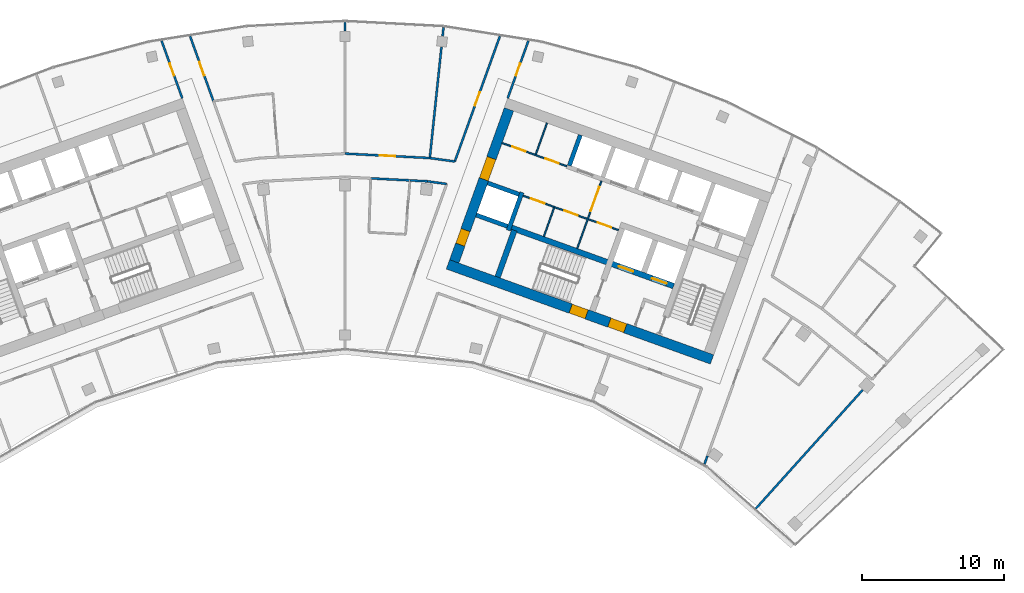
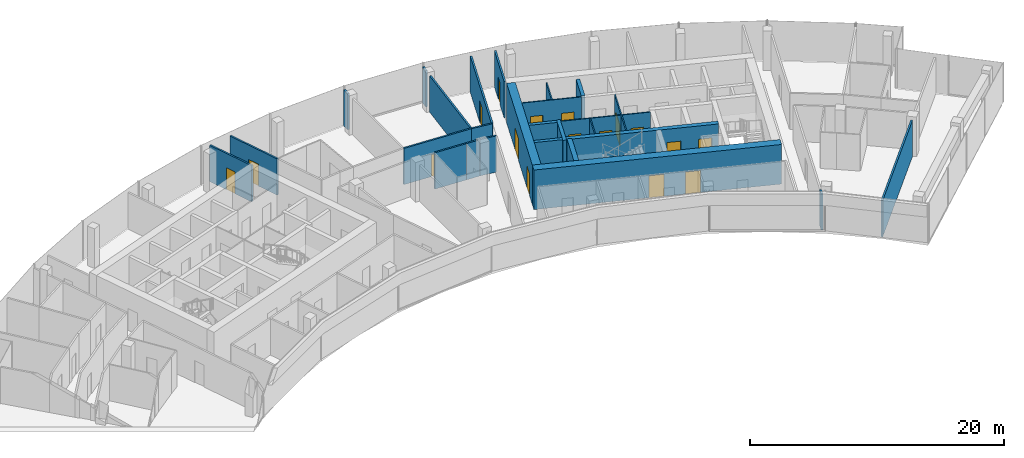
# One storey, part 15 of 18: 27 walls, 17 doors, 17 openings.
"""IFC4 building model written with IfcOpenShell, lengths in metres."""

from ifc_helpers import new_model, si_unit, direction, frame, frame_2d, origin, place, context, subcontext, project, spatial, rectangle, extrude, material, layer, layer_set, type_object, element, fill, save


model = new_model("IFC4")

# Units and contexts
model_context = context("Model", 3, precision=1e-05, world=origin(), true_north=direction((0.0, 1.0)))
body_context = subcontext(model_context, "Body", "Model", "MODEL_VIEW")
ifc_project = project(units=[si_unit("LENGTHUNIT", "METRE"), si_unit("AREAUNIT", "SQUARE_METRE"), si_unit("VOLUMEUNIT", "CUBIC_METRE"), si_unit("PLANEANGLEUNIT", "RADIAN"), si_unit("MASSUNIT", "GRAM", prefix="KILO")], contexts=[model_context])

# Site, building, storey
site_placement = place(None, origin())
site = spatial("IfcSite", under=ifc_project, at=site_placement, CompositionType="ELEMENT")
building_placement = place(site_placement, origin())
building = spatial("IfcBuilding", under=site, at=building_placement, Name="Stone Belt Terrace Tower", CompositionType="ELEMENT")
storey_placement = place(building_placement, frame((0.0, 0.0, 296.0)))
storey = spatial("IfcBuildingStorey", under=building, at=storey_placement, Name="L72", CompositionType="ELEMENT", Elevation=296.0)

# Wall, openings, doors
ifc_material_1 = material(Name="Plasterboard partition")
ifc_layer_1 = layer(ifc_material_1, 0.10009765625)
ifc_layer_set_1 = layer_set([ifc_layer_1], Name="Core partition 100")
wall_type_1 = type_object("IfcWallType", Name="Core partition 100", PredefinedType="PARTITIONING", material=ifc_layer_set_1)
wall_1_placement = place(storey_placement, frame((19.29052734375, 51.829833984375, 0.0), z_axis=(0.0, 0.0, 1.0), x_axis=(-0.94092179465, 0.338623945331, 0.0)))
wall_1 = element("IfcWall", 1, at=wall_1_placement, inside=storey, type_object=wall_type_1, Name="Core B wall", PredefinedType="PARTITIONING", context=body_context, shape_type="SweptSolid", body=[
    extrude(rectangle(XDim=7.14990234375, YDim=0.10009765625, at=frame_2d((3.574951171875, 0.0))), origin(), (0.0, 0.0, 1.0), 3.47998046875),
])
opening_1_placement = place(wall_1_placement, frame((0.550048828125, 0.0, 0.0)))
opening_1 = element("IfcOpeningElement", 2, at=opening_1_placement, cuts=wall_1, Name="Opening L72-C18", PredefinedType="OPENING", context=body_context, shape_type="SweptSolid", body=[
    extrude(rectangle(XDim=1.0, YDim=2.10009765625, at=frame_2d((0.5, 1.050048828125))), frame((0.0, 0.06005859375, 0.0), z_axis=(0.0, -1.0, 0.0), x_axis=(1.0, 0.0, 0.0)), (0.0, 0.0, 1.0), 0.1201171875),
])
opening_2_placement = place(wall_1_placement, frame((3.050048828125, 0.0, 0.0)))
opening_2 = element("IfcOpeningElement", 3, at=opening_2_placement, cuts=wall_1, Name="Opening L72-C19", PredefinedType="OPENING", context=body_context, shape_type="SweptSolid", body=[
    extrude(rectangle(XDim=1.0, YDim=2.10009765625, at=frame_2d((0.5, 1.050048828125))), frame((0.0, 0.06005859375, 0.0), z_axis=(0.0, -1.0, 0.0), x_axis=(1.0, 0.0, 0.0)), (0.0, 0.0, 1.0), 0.1201171875),
])
opening_3_placement = place(wall_1_placement, frame((5.550048828125, 0.0, 0.0)))
opening_3 = element("IfcOpeningElement", 4, at=opening_3_placement, cuts=wall_1, Name="Opening L72-C20", PredefinedType="OPENING", context=body_context, shape_type="SweptSolid", body=[
    extrude(rectangle(XDim=1.0, YDim=2.10009765625, at=frame_2d((0.5, 1.050048828125))), frame((0.0, 0.06005859375, 0.0), z_axis=(0.0, -1.0, 0.0), x_axis=(1.0, 0.0, 0.0)), (0.0, 0.0, 1.0), 0.1201171875),
])
ifc_material_2 = material(Name="Timber door leaf", Category="wood")
door_type_1 = type_object("IfcDoorType", Name="Core room door 1000", OperationType="SINGLE_SWING_LEFT", PredefinedType="DOOR", material=ifc_material_2)
door_1_placement = place(opening_1_placement, origin())
door_1 = element("IfcDoor", 5, at=door_1_placement, inside=storey, type_object=door_type_1, Name="Door to Ventilation plant room core B", OperationType="SINGLE_SWING_LEFT", OverallHeight=2.10009765625, OverallWidth=1.0, PredefinedType="DOOR", context=body_context, shape_type="SweptSolid", body=[
    extrude(rectangle(XDim=1.0, YDim=2.10009765625, at=frame_2d((0.5, 1.050048828125))), frame((0.0, 0.02490234375, 0.0), z_axis=(0.0, -1.0, 0.0), x_axis=(1.0, 0.0, 0.0)), (0.0, 0.0, 1.0), 0.050048828125),
])
fill(opening_1, door_1)
door_2_placement = place(opening_2_placement, origin())
door_2 = element("IfcDoor", 6, at=door_2_placement, inside=storey, type_object=door_type_1, Name="Door to Services store core B", OperationType="SINGLE_SWING_RIGHT", OverallHeight=2.10009765625, OverallWidth=1.0, PredefinedType="DOOR", context=body_context, shape_type="SweptSolid", body=[
    extrude(rectangle(XDim=1.0, YDim=2.10009765625, at=frame_2d((0.5, 1.050048828125))), frame((0.0, 0.02490234375, 0.0), z_axis=(0.0, -1.0, 0.0), x_axis=(1.0, 0.0, 0.0)), (0.0, 0.0, 1.0), 0.050048828125),
])
fill(opening_2, door_2)
door_3_placement = place(opening_3_placement, origin())
door_3 = element("IfcDoor", 7, at=door_3_placement, inside=storey, type_object=door_type_1, Name="Door to Server room core B", OperationType="SINGLE_SWING_LEFT", OverallHeight=2.10009765625, OverallWidth=1.0, PredefinedType="DOOR", context=body_context, shape_type="SweptSolid", body=[
    extrude(rectangle(XDim=1.0, YDim=2.10009765625, at=frame_2d((0.5, 1.050048828125))), frame((0.0, 0.02490234375, 0.0), z_axis=(0.0, -1.0, 0.0), x_axis=(1.0, 0.0, 0.0)), (0.0, 0.0, 1.0), 0.050048828125),
])
fill(opening_3, door_3)

# Wall, opening, door
wall_2_placement = place(storey_placement, frame((16.38134765625, 50.53857421875, 0.0), z_axis=(0.0, 0.0, 1.0), x_axis=(0.33860476744, 0.940928696271, 0.0)))
wall_2 = element("IfcWall", 8, at=wall_2_placement, inside=storey, type_object=wall_type_1, Name="Core B wall", PredefinedType="PARTITIONING", context=body_context, shape_type="SweptSolid", body=[
    extrude(rectangle(XDim=5.050048828125, YDim=0.10009765625, at=frame_2d((2.52490234375, 0.0))), origin(), (0.0, 0.0, 1.0), 3.47998046875),
])
opening_4_placement = place(wall_2_placement, frame((2.800048828125, 0.0, 0.0)))
opening_4 = element("IfcOpeningElement", 9, at=opening_4_placement, cuts=wall_2, Name="Opening L72-C23", PredefinedType="OPENING", context=body_context, shape_type="SweptSolid", body=[
    extrude(rectangle(XDim=1.800048828125, YDim=2.10009765625, at=frame_2d((0.89990234375, 1.050048828125))), frame((0.0, 0.06005859375, 0.0), z_axis=(0.0, -1.0, 0.0), x_axis=(1.0, 0.0, 0.0)), (0.0, 0.0, 1.0), 0.1201171875),
])
ifc_material_3 = material(Name="Glazed aluminium door leaf", Category="aluminium")
door_type_2 = type_object("IfcDoorType", Name="Lift lobby entrance door 1800", OperationType="DOUBLE_DOOR_SINGLE_SWING", PredefinedType="DOOR", material=ifc_material_3)
door_4_placement = place(opening_4_placement, origin())
door_4 = element("IfcDoor", 10, at=door_4_placement, inside=storey, type_object=door_type_2, Name="Lift lobby double door core B", OperationType="DOUBLE_DOOR_SINGLE_SWING", OverallHeight=2.10009765625, OverallWidth=1.800048828125, PredefinedType="DOOR", context=body_context, shape_type="SweptSolid", body=[
    extrude(rectangle(XDim=1.800048828125, YDim=2.10009765625, at=frame_2d((0.89990234375, 1.050048828125))), frame((0.0, 0.02490234375, 0.0), z_axis=(0.0, -1.0, 0.0), x_axis=(1.0, 0.0, 0.0)), (0.0, 0.0, 1.0), 0.050048828125),
])
fill(opening_4, door_4)

# Wall
wall_3_placement = place(storey_placement, frame((14.029052734375, 51.38525390625, 0.0), z_axis=(0.0, 0.0, 1.0), x_axis=(0.338622960269, 0.940922149159, 0.0)))
element("IfcWall", 11, at=wall_3_placement, inside=storey, type_object=wall_type_1, Name="Core B wall", PredefinedType="PARTITIONING", context=body_context, shape_type="SweptSolid", body=[
    extrude(rectangle(XDim=2.14990234375, YDim=0.10009765625, at=frame_2d((1.074951171875, 0.0))), origin(), (0.0, 0.0, 1.0), 3.47998046875),
])

# Wall, openings, doors
wall_4_placement = place(storey_placement, frame((15.648681640625, 56.32861328125, 0.0), z_axis=(0.0, 0.0, 1.0), x_axis=(-0.940905377977, 0.338669558262, 0.0)))
wall_4 = element("IfcWall", 12, at=wall_4_placement, inside=storey, type_object=wall_type_1, Name="Core B wall", PredefinedType="PARTITIONING", context=body_context, shape_type="SweptSolid", body=[
    extrude(rectangle(XDim=4.85009765625, YDim=0.10009765625, at=frame_2d((2.425048828125, 0.0))), origin(), (0.0, 0.0, 1.0), 3.47998046875),
])
opening_5_placement = place(wall_4_placement, frame((0.60009765625, 0.0, 0.0)))
opening_5 = element("IfcOpeningElement", 13, at=opening_5_placement, cuts=wall_4, Name="Opening L72-C16", PredefinedType="OPENING", context=body_context, shape_type="SweptSolid", body=[
    extrude(rectangle(XDim=1.0, YDim=2.10009765625, at=frame_2d((0.5, 1.050048828125))), frame((0.0, 0.06005859375, 0.0), z_axis=(0.0, -1.0, 0.0), x_axis=(1.0, 0.0, 0.0)), (0.0, 0.0, 1.0), 0.1201171875),
])
opening_6_placement = place(wall_4_placement, frame((3.10009765625, 0.0, 0.0)))
opening_6 = element("IfcOpeningElement", 14, at=opening_6_placement, cuts=wall_4, Name="Opening L72-C17", PredefinedType="OPENING", context=body_context, shape_type="SweptSolid", body=[
    extrude(rectangle(XDim=1.0, YDim=2.10009765625, at=frame_2d((0.5, 1.050048828125))), frame((0.0, 0.06005859375, 0.0), z_axis=(0.0, -1.0, 0.0), x_axis=(1.0, 0.0, 0.0)), (0.0, 0.0, 1.0), 0.1201171875),
])
door_5_placement = place(opening_5_placement, origin())
door_5 = element("IfcDoor", 15, at=door_5_placement, inside=storey, type_object=door_type_1, Name="Door to Plant room core B", OperationType="SINGLE_SWING_LEFT", OverallHeight=2.10009765625, OverallWidth=1.0, PredefinedType="DOOR", context=body_context, shape_type="SweptSolid", body=[
    extrude(rectangle(XDim=1.0, YDim=2.10009765625, at=frame_2d((0.5, 1.050048828125))), frame((0.0, 0.02490234375, 0.0), z_axis=(0.0, -1.0, 0.0), x_axis=(1.0, 0.0, 0.0)), (0.0, 0.0, 1.0), 0.050048828125),
])
fill(opening_5, door_5)
door_6_placement = place(opening_6_placement, origin())
door_6 = element("IfcDoor", 16, at=door_6_placement, inside=storey, type_object=door_type_1, Name="Door to Electrical room core B", OperationType="SINGLE_SWING_RIGHT", OverallHeight=2.10009765625, OverallWidth=1.0, PredefinedType="DOOR", context=body_context, shape_type="SweptSolid", body=[
    extrude(rectangle(XDim=1.0, YDim=2.10009765625, at=frame_2d((0.5, 1.050048828125))), frame((0.0, 0.02490234375, 0.0), z_axis=(0.0, -1.0, 0.0), x_axis=(1.0, 0.0, 0.0)), (0.0, 0.0, 1.0), 0.050048828125),
])
fill(opening_6, door_6)

# Wall
wall_5_placement = place(storey_placement, frame((13.45458984375, 57.171630859375, 0.0), z_axis=(0.0, 0.0, 1.0), x_axis=(0.338579668317, 0.940937728121, 0.0)))
element("IfcWall", 17, at=wall_5_placement, inside=storey, type_object=wall_type_1, Name="Core B wall", PredefinedType="PARTITIONING", context=body_context, shape_type="SweptSolid", body=[
    extrude(rectangle(XDim=2.35009765625, YDim=0.10009765625, at=frame_2d((1.175048828125, 0.0))), origin(), (0.0, 0.0, 1.0), 3.47998046875),
])

# Wall, openings, doors
ifc_material_4 = material(Name="Concrete B60", Category="concrete")
ifc_layer_2 = layer(ifc_material_4, 0.699951171875)
ifc_layer_set_2 = layer_set([ifc_layer_2], Name="Core wall 700 B60")
wall_type_2 = type_object("IfcWallType", Name="Core wall 700 B60", PredefinedType="SHEAR", material=ifc_layer_set_2)
wall_6_placement = place(storey_placement, frame((7.260498046875, 49.410400390625, 0.0), z_axis=(0.0, 0.0, 1.0), x_axis=(0.940925130461, -0.338614676094, 0.0)))
wall_6 = element("IfcWall", 18, at=wall_6_placement, inside=storey, type_object=wall_type_2, Name="Core B wall concave L72", PredefinedType="SHEAR", context=body_context, shape_type="SweptSolid", body=[
    extrude(rectangle(XDim=19.800048828125, YDim=0.699951171875, at=frame_2d((9.89990234375, 0.0))), origin(), (0.0, 0.0, 1.0), 3.800048828125),
])
opening_7_placement = place(wall_6_placement, frame((12.10009765625, 0.0, 0.0)))
opening_7 = element("IfcOpeningElement", 19, at=opening_7_placement, cuts=wall_6, Name="Opening L72-C27", PredefinedType="OPENING", context=body_context, shape_type="SweptSolid", body=[
    extrude(rectangle(XDim=1.199951171875, YDim=2.10009765625, at=frame_2d((0.60009765625, 1.050048828125))), frame((0.0, 0.35986328125, 0.0), z_axis=(0.0, -1.0, 0.0), x_axis=(1.0, 0.0, 0.0)), (0.0, 0.0, 1.0), 0.719970703125),
])
opening_8_placement = place(wall_6_placement, frame((9.2001953125, 0.0, 0.0)))
opening_8 = element("IfcOpeningElement", 20, at=opening_8_placement, cuts=wall_6, Name="Opening L72-C29", PredefinedType="OPENING", context=body_context, shape_type="SweptSolid", body=[
    extrude(rectangle(XDim=1.199951171875, YDim=2.10009765625, at=frame_2d((0.60009765625, 1.050048828125))), frame((0.0, 0.35986328125, 0.0), z_axis=(0.0, -1.0, 0.0), x_axis=(1.0, 0.0, 0.0)), (0.0, 0.0, 1.0), 0.719970703125),
])
ifc_material_5 = material(Name="Steel door leaf", Category="steel")
door_type_3 = type_object("IfcDoorType", Name="Fire-fighting lobby door 1200", OperationType="SINGLE_SWING_LEFT", PredefinedType="DOOR", material=ifc_material_5)
door_7_placement = place(opening_7_placement, origin())
door_7 = element("IfcDoor", 21, at=door_7_placement, inside=storey, type_object=door_type_3, Name="Fire-fighting lobby door core B", OperationType="SINGLE_SWING_LEFT", OverallHeight=2.10009765625, OverallWidth=1.199951171875, PredefinedType="DOOR", context=body_context, shape_type="SweptSolid", body=[
    extrude(rectangle(XDim=1.199951171875, YDim=2.10009765625, at=frame_2d((0.60009765625, 1.050048828125))), frame((0.0, 0.330078125, 0.0), z_axis=(0.0, -1.0, 0.0), x_axis=(1.0, 0.0, 0.0)), (0.0, 0.0, 1.0), 0.659912109375),
])
fill(opening_7, door_7)
door_type_4 = type_object("IfcDoorType", Name="Stair door 1200", OperationType="SINGLE_SWING_LEFT", PredefinedType="DOOR", material=ifc_material_5)
door_8_placement = place(opening_8_placement, origin())
door_8 = element("IfcDoor", 22, at=door_8_placement, inside=storey, type_object=door_type_4, Name="Stair 2 exit door core B", OperationType="SINGLE_SWING_RIGHT", OverallHeight=2.10009765625, OverallWidth=1.199951171875, PredefinedType="DOOR", context=body_context, shape_type="SweptSolid", body=[
    extrude(rectangle(XDim=1.199951171875, YDim=2.10009765625, at=frame_2d((0.60009765625, 1.050048828125))), frame((0.0, 0.330078125, 0.0), z_axis=(0.0, -1.0, 0.0), x_axis=(1.0, 0.0, 0.0)), (0.0, 0.0, 1.0), 0.659912109375),
])
fill(opening_8, door_8)

wall_7_placement = place(storey_placement, frame((7.70849609375, 49.621337890625, 0.0), z_axis=(0.0, 0.0, 1.0), x_axis=(0.338606471282, 0.940928083121, 0.0)))
wall_7 = element("IfcWall", 23, at=wall_7_placement, inside=storey, type_object=wall_type_2, Name="Core B wall end_a L72", PredefinedType="SHEAR", context=body_context, shape_type="SweptSolid", body=[
    extrude(rectangle(XDim=11.39990234375, YDim=0.699951171875, at=frame_2d((5.699951171875, 0.0))), origin(), (0.0, 0.0, 1.0), 3.800048828125),
])
opening_9_placement = place(wall_7_placement, frame((6.14990234375, 0.0, 0.0)))
opening_9 = element("IfcOpeningElement", 24, at=opening_9_placement, cuts=wall_7, Name="Opening L72-C24", PredefinedType="OPENING", context=body_context, shape_type="SweptSolid", body=[
    extrude(rectangle(XDim=1.60009765625, YDim=2.10009765625, at=frame_2d((0.800048828125, 1.050048828125))), frame((0.0, 0.35986328125, 0.0), z_axis=(0.0, -1.0, 0.0), x_axis=(1.0, 0.0, 0.0)), (0.0, 0.0, 1.0), 0.719970703125),
])
opening_10_placement = place(wall_7_placement, frame((1.25, 0.0, 0.0)))
opening_10 = element("IfcOpeningElement", 25, at=opening_10_placement, cuts=wall_7, Name="Opening L72-C30", PredefinedType="OPENING", context=body_context, shape_type="SweptSolid", body=[
    extrude(rectangle(XDim=1.10009765625, YDim=2.10009765625, at=frame_2d((0.550048828125, 1.050048828125))), frame((0.0, 0.35986328125, 0.0), z_axis=(0.0, -1.0, 0.0), x_axis=(1.0, 0.0, 0.0)), (0.0, 0.0, 1.0), 0.719970703125),
])
door_type_5 = type_object("IfcDoorType", Name="Core room door 1100", OperationType="SINGLE_SWING_LEFT", PredefinedType="DOOR", material=ifc_material_2)
door_9_placement = place(opening_10_placement, origin())
door_9 = element("IfcDoor", 26, at=door_9_placement, inside=storey, type_object=door_type_5, Name="Door to Electrical riser room core B", OperationType="SINGLE_SWING_LEFT", OverallHeight=2.10009765625, OverallWidth=1.10009765625, PredefinedType="DOOR", context=body_context, shape_type="SweptSolid", body=[
    extrude(rectangle(XDim=1.10009765625, YDim=2.10009765625, at=frame_2d((0.550048828125, 1.050048828125))), frame((0.0, 0.330078125, 0.0), z_axis=(0.0, -1.0, 0.0), x_axis=(1.0, 0.0, 0.0)), (0.0, 0.0, 1.0), 0.659912109375),
])
fill(opening_10, door_9)
door_type_6 = type_object("IfcDoorType", Name="Lift lobby entrance door 1600", OperationType="DOUBLE_DOOR_SINGLE_SWING", PredefinedType="DOOR", material=ifc_material_3)
door_10_placement = place(opening_9_placement, origin())
door_10 = element("IfcDoor", 27, at=door_10_placement, inside=storey, type_object=door_type_6, Name="Lift lobby entrance door core B", OperationType="DOUBLE_DOOR_SINGLE_SWING", OverallHeight=2.10009765625, OverallWidth=1.60009765625, PredefinedType="DOOR", context=body_context, shape_type="SweptSolid", body=[
    extrude(rectangle(XDim=1.60009765625, YDim=2.10009765625, at=frame_2d((0.800048828125, 1.050048828125))), frame((0.0, 0.330078125, 0.0), z_axis=(0.0, -1.0, 0.0), x_axis=(1.0, 0.0, 0.0)), (0.0, 0.0, 1.0), 0.659912109375),
])
fill(opening_9, door_10)

# Walls
ifc_material_6 = material(Name="Concrete B80", Category="concrete")
ifc_layer_3 = layer(ifc_material_6, 0.300048828125)
ifc_layer_set_3 = layer_set([ifc_layer_3], Name="Lift shaft wall 300")
wall_type_3 = type_object("IfcWallType", Name="Lift shaft wall 300", PredefinedType="SHEAR", material=ifc_layer_set_3)
wall_8_placement = place(storey_placement, frame((15.82373046875, 56.3720703125, 0.0), z_axis=(0.0, 0.0, 1.0), x_axis=(0.338621735342, 0.94092258999, 0.0)))
element("IfcWall", 28, at=wall_8_placement, inside=storey, type_object=wall_type_3, Name="Core B wall", PredefinedType="SHEAR", context=body_context, shape_type="SweptSolid", body=[
    extrude(rectangle(XDim=2.300048828125, YDim=0.300048828125, at=frame_2d((1.14990234375, 0.0))), origin(), (0.0, 0.0, 1.0), 3.47998046875),
])
wall_9_placement = place(storey_placement, frame((11.5244140625, 51.808349609375, 0.0), z_axis=(0.0, 0.0, 1.0), x_axis=(0.338625431531, 0.940921259788, 0.0)))
element("IfcWall", 29, at=wall_9_placement, inside=storey, type_object=wall_type_3, Name="Core B wall", PredefinedType="SHEAR", context=body_context, shape_type="SweptSolid", body=[
    extrude(rectangle(XDim=2.85009765625, YDim=0.300048828125, at=frame_2d((1.425048828125, 0.0))), origin(), (0.0, 0.0, 1.0), 3.47998046875),
])
wall_10_placement = place(storey_placement, frame((11.468017578125, 52.09423828125, 0.0), z_axis=(0.0, 0.0, 1.0), x_axis=(-0.940904627055, 0.338671644496, 0.0)))
element("IfcWall", 30, at=wall_10_placement, inside=storey, type_object=wall_type_3, Name="Core B wall", PredefinedType="SHEAR", context=body_context, shape_type="SweptSolid", body=[
    extrude(rectangle(XDim=2.35009765625, YDim=0.300048828125, at=frame_2d((1.175048828125, 0.0))), origin(), (0.0, 0.0, 1.0), 3.47998046875),
])
wall_11_placement = place(storey_placement, frame((12.280517578125, 54.3525390625, 0.0), z_axis=(0.0, 0.0, 1.0), x_axis=(-0.940925816745, 0.338612769078, 0.0)))
element("IfcWall", 31, at=wall_11_placement, inside=storey, type_object=wall_type_3, Name="Core B wall", PredefinedType="SHEAR", context=body_context, shape_type="SweptSolid", body=[
    extrude(rectangle(XDim=2.349853515625, YDim=0.300048828125, at=frame_2d((1.1748046875, 0.0))), origin(), (0.0, 0.0, 1.0), 3.47998046875),
])

# Wall, opening, door
ifc_material_7 = material(Name="Gypsum board partition")
ifc_layer_4 = layer(ifc_material_7, 0.14990234375)
ifc_layer_set_4 = layer_set([ifc_layer_4], Name="PARTITION 150 EI 60")
wall_type_4 = type_object("IfcWallType", Name="PARTITION 150 EI 60", PredefinedType="PARTITIONING", material=ifc_layer_set_4)
wall_12_placement = place(storey_placement, frame((-11.47607421875, 61.125, 0.0), z_axis=(0.0, 0.0, 1.0), x_axis=(-0.338707450319, 0.940891738245, 0.0)))
wall_12 = element("IfcWall", 32, at=wall_12_placement, inside=storey, type_object=wall_type_4, Name="L72/wall/i010", PredefinedType="PARTITIONING", context=body_context, shape_type="SweptSolid", body=[
    extrude(rectangle(XDim=4.316162109375, YDim=0.14990234375, at=frame_2d((2.158203125, 0.0))), origin(), (0.0, 0.0, 1.0), 3.47998046875),
])
opening_11_placement = place(wall_12_placement, frame((1.7080078125, 0.0, 0.0)))
opening_11 = element("IfcOpeningElement", 33, at=opening_11_placement, cuts=wall_12, Name="Opening D-E5-06", PredefinedType="OPENING", context=body_context, shape_type="SweptSolid", body=[
    extrude(rectangle(XDim=0.89990234375, YDim=2.10009765625, at=frame_2d((0.449951171875, 1.050048828125))), frame((0.0, 0.0849609375, 0.0), z_axis=(0.0, -1.0, 0.0), x_axis=(1.0, 0.0, 0.0)), (0.0, 0.0, 1.0), 0.169921875),
])
door_type_7 = type_object("IfcDoorType", Name="OFFICE DOOR 900 X 2100", OperationType="NOTDEFINED", PredefinedType="DOOR", material=ifc_material_2)
door_11_placement = place(opening_11_placement, origin())
door_11 = element("IfcDoor", 34, at=door_11_placement, inside=storey, type_object=door_type_7, Name="L72/door/i06", OperationType="SINGLE_SWING_RIGHT", OverallHeight=2.10009765625, OverallWidth=0.89990234375, PredefinedType="DOOR", context=body_context, shape_type="SweptSolid", body=[
    extrude(rectangle(XDim=0.89990234375, YDim=2.10009765625, at=frame_2d((0.449951171875, 1.050048828125))), frame((0.0, 0.02490234375, 0.0), z_axis=(0.0, -1.0, 0.0), x_axis=(1.0, 0.0, 0.0)), (0.0, 0.0, 1.0), 0.050048828125),
])
fill(opening_11, door_11)

wall_13_placement = place(storey_placement, frame((-10.9267578125, 65.504150390625, 0.0), z_axis=(0.0, 0.0, 1.0), x_axis=(0.338598802043, -0.940930842972, 0.0)))
wall_13 = element("IfcWall", 35, at=wall_13_placement, inside=storey, type_object=wall_type_4, Name="L72/wall/i013", PredefinedType="PARTITIONING", context=body_context, shape_type="SweptSolid", body=[
    extrude(rectangle(XDim=4.8720703125, YDim=0.14990234375, at=frame_2d((2.43603515625, 0.0))), origin(), (0.0, 0.0, 1.0), 3.47998046875),
])
opening_12_placement = place(wall_13_placement, frame((1.93603515625, 0.0, 0.0)))
opening_12 = element("IfcOpeningElement", 36, at=opening_12_placement, cuts=wall_13, Name="Opening D-E5-31", PredefinedType="OPENING", context=body_context, shape_type="SweptSolid", body=[
    extrude(rectangle(XDim=1.0, YDim=2.10009765625, at=frame_2d((0.5, 1.050048828125))), frame((0.0, 0.0849609375, 0.0), z_axis=(0.0, -1.0, 0.0), x_axis=(1.0, 0.0, 0.0)), (0.0, 0.0, 1.0), 0.169921875),
])
ifc_material_8 = material(Name="Timber fire door leaf", Category="wood")
door_type_8 = type_object("IfcDoorType", Name="TENANCY ENTRANCE DOOR 1000 X 2100", OperationType="NOTDEFINED", PredefinedType="DOOR", material=ifc_material_8)
door_12_placement = place(opening_12_placement, origin())
door_12 = element("IfcDoor", 37, at=door_12_placement, inside=storey, type_object=door_type_8, Name="L72/door/i31", OperationType="SINGLE_SWING_RIGHT", OverallHeight=2.10009765625, OverallWidth=1.0, PredefinedType="DOOR", context=body_context, shape_type="SweptSolid", body=[
    extrude(rectangle(XDim=1.0, YDim=2.10009765625, at=frame_2d((0.5, 1.050048828125))), frame((0.0, 0.02490234375, 0.0), z_axis=(0.0, -1.0, 0.0), x_axis=(1.0, 0.0, 0.0)), (0.0, 0.0, 1.0), 0.050048828125),
])
fill(opening_12, door_12)

wall_14_placement = place(storey_placement, frame((12.93798828125, 65.18603515625, 0.0), z_axis=(0.0, 0.0, 1.0), x_axis=(-0.338707450319, -0.940891738245, 0.0)))
wall_14 = element("IfcWall", 38, at=wall_14_placement, inside=storey, type_object=wall_type_4, Name="L72/wall/i024", PredefinedType="PARTITIONING", context=body_context, shape_type="SweptSolid", body=[
    extrude(rectangle(XDim=4.316162109375, YDim=0.14990234375, at=frame_2d((2.158203125, 0.0))), origin(), (0.0, 0.0, 1.0), 3.47998046875),
])
opening_13_placement = place(wall_14_placement, frame((1.7080078125, 0.0, 0.0)))
opening_13 = element("IfcOpeningElement", 39, at=opening_13_placement, cuts=wall_14, Name="Opening D-E5-11", PredefinedType="OPENING", context=body_context, shape_type="SweptSolid", body=[
    extrude(rectangle(XDim=0.89990234375, YDim=2.10009765625, at=frame_2d((0.449951171875, 1.050048828125))), frame((0.0, 0.0849609375, 0.0), z_axis=(0.0, -1.0, 0.0), x_axis=(1.0, 0.0, 0.0)), (0.0, 0.0, 1.0), 0.169921875),
])
door_13_placement = place(opening_13_placement, origin())
door_13 = element("IfcDoor", 40, at=door_13_placement, inside=storey, type_object=door_type_7, Name="L72/door/i11", OperationType="SINGLE_SWING_RIGHT", OverallHeight=2.10009765625, OverallWidth=0.89990234375, PredefinedType="DOOR", context=body_context, shape_type="SweptSolid", body=[
    extrude(rectangle(XDim=0.89990234375, YDim=2.10009765625, at=frame_2d((0.449951171875, 1.050048828125))), frame((0.0, 0.02490234375, 0.0), z_axis=(0.0, -1.0, 0.0), x_axis=(1.0, 0.0, 0.0)), (0.0, 0.0, 1.0), 0.050048828125),
])
fill(opening_13, door_13)

wall_15_placement = place(storey_placement, frame((7.7451171875, 56.6640625, 0.0), z_axis=(0.0, 0.0, 1.0), x_axis=(0.338644933311, 0.94091424112, 0.0)))
wall_15 = element("IfcWall", 41, at=wall_15_placement, inside=storey, type_object=wall_type_4, Name="L72/wall/i026", PredefinedType="PARTITIONING", context=body_context, shape_type="SweptSolid", body=[
    extrude(rectangle(XDim=9.395263671875, YDim=0.14990234375, at=frame_2d((4.69775390625, 0.0))), origin(), (0.0, 0.0, 1.0), 3.47998046875),
])
opening_14_placement = place(wall_15_placement, frame((4.19775390625, 0.0, 0.0)))
opening_14 = element("IfcOpeningElement", 42, at=opening_14_placement, cuts=wall_15, Name="Opening D-E5-34", PredefinedType="OPENING", context=body_context, shape_type="SweptSolid", body=[
    extrude(rectangle(XDim=1.0, YDim=2.10009765625, at=frame_2d((0.5, 1.050048828125))), frame((0.0, 0.0849609375, 0.0), z_axis=(0.0, -1.0, 0.0), x_axis=(1.0, 0.0, 0.0)), (0.0, 0.0, 1.0), 0.169921875),
])
door_14_placement = place(opening_14_placement, origin())
door_14 = element("IfcDoor", 43, at=door_14_placement, inside=storey, type_object=door_type_8, Name="L72/door/i34", OperationType="SINGLE_SWING_RIGHT", OverallHeight=2.10009765625, OverallWidth=1.0, PredefinedType="DOOR", context=body_context, shape_type="SweptSolid", body=[
    extrude(rectangle(XDim=1.0, YDim=2.10009765625, at=frame_2d((0.5, 1.050048828125))), frame((0.0, 0.02490234375, 0.0), z_axis=(0.0, -1.0, 0.0), x_axis=(1.0, 0.0, 0.0)), (0.0, 0.0, 1.0), 0.050048828125),
])
fill(opening_14, door_14)

# Walls
wall_16_placement = place(storey_placement, frame((25.566162109375, 35.899658203125, 0.0), z_axis=(0.0, 0.0, 1.0), x_axis=(-0.338633814852, -0.940918242696, 0.0)))
element("IfcWall", 44, at=wall_16_placement, inside=storey, type_object=wall_type_4, Name="L72/wall/i030", PredefinedType="PARTITIONING", context=body_context, shape_type="SweptSolid", body=[
    extrude(rectangle(XDim=0.605712890625, YDim=0.14990234375, at=frame_2d((0.302734375, 0.0))), origin(), (0.0, 0.0, 1.0), 3.47998046875),
])
wall_17_placement = place(storey_placement, frame((28.97802734375, 32.182373046875, 0.0), z_axis=(0.0, 0.0, 1.0), x_axis=(0.669127577115, 0.74314755301, 0.0)))
element("IfcWall", 45, at=wall_17_placement, inside=storey, type_object=wall_type_4, Name="L72/wall/i068", PredefinedType="PARTITIONING", context=body_context, shape_type="SweptSolid", body=[
    extrude(rectangle(XDim=11.263671875, YDim=0.14990234375, at=frame_2d((5.6318359375, 0.0))), origin(), (0.0, 0.0, 1.0), 3.47998046875),
])
wall_18_placement = place(storey_placement, frame((7.176025390625, 55.0830078125, 0.0), z_axis=(0.0, 0.0, 1.0), x_axis=(-0.990675556397, 0.136242217972, 0.0)))
element("IfcWall", 46, at=wall_18_placement, inside=storey, type_object=wall_type_4, Name="L72/wall/i088", PredefinedType="PARTITIONING", context=body_context, shape_type="SweptSolid", body=[
    extrude(rectangle(XDim=1.3798828125, YDim=0.14990234375, at=frame_2d((0.68994140625, 0.0))), origin(), (0.0, 0.0, 1.0), 3.47998046875),
])
wall_19_placement = place(storey_placement, frame((5.80908203125, 55.27099609375, 0.0), z_axis=(0.0, 0.0, 1.0), x_axis=(-0.998648347827, 0.051975738405, 0.0)))
element("IfcWall", 47, at=wall_19_placement, inside=storey, type_object=wall_type_4, Name="L72/wall/i089", PredefinedType="PARTITIONING", context=body_context, shape_type="SweptSolid", body=[
    extrude(rectangle(XDim=1.230712890625, YDim=0.14990234375, at=frame_2d((0.615234375, 0.0))), origin(), (0.0, 0.0, 1.0), 3.47998046875),
])
wall_20_placement = place(storey_placement, frame((4.592041015625, 55.3349609375, 0.0), z_axis=(0.0, 0.0, 1.0), x_axis=(-0.998630847524, 0.052310901088, 0.0)))
element("IfcWall", 48, at=wall_20_placement, inside=storey, type_object=wall_type_4, Name="L72/wall/i090", PredefinedType="PARTITIONING", context=body_context, shape_type="SweptSolid", body=[
    extrude(rectangle(XDim=2.791015625, YDim=0.14990234375, at=frame_2d((1.3955078125, 0.0))), origin(), (0.0, 0.0, 1.0), 3.47998046875),
])

# Wall, opening, door
wall_21_placement = place(storey_placement, frame((0.0, 57.22509765625, 0.0), z_axis=(0.0, 0.0, 1.0), x_axis=(0.998633994648, -0.052250786921, 0.0)))
wall_21 = element("IfcWall", 49, at=wall_21_placement, inside=storey, type_object=wall_type_4, Name="L72/wall/i094", PredefinedType="PARTITIONING", context=body_context, shape_type="SweptSolid", body=[
    extrude(rectangle(XDim=5.990234375, YDim=0.14990234375, at=frame_2d((2.9951171875, 0.0))), origin(), (0.0, 0.0, 1.0), 3.47998046875),
])
opening_15_placement = place(wall_21_placement, frame((2.445068359375, 0.0, 0.0)))
opening_15 = element("IfcOpeningElement", 50, at=opening_15_placement, cuts=wall_21, Name="Opening D-E5-33", PredefinedType="OPENING", context=body_context, shape_type="SweptSolid", body=[
    extrude(rectangle(XDim=1.10009765625, YDim=2.10009765625, at=frame_2d((0.550048828125, 1.050048828125))), frame((0.0, 0.0849609375, 0.0), z_axis=(0.0, -1.0, 0.0), x_axis=(1.0, 0.0, 0.0)), (0.0, 0.0, 1.0), 0.169921875),
])
ifc_material_9 = material(Name="Steel fire door set", Category="steel")
door_type_9 = type_object("IfcDoorType", Name="SERVICE ROOM DOOR 1100 X 2100", OperationType="NOTDEFINED", PredefinedType="DOOR", material=ifc_material_9)
door_15_placement = place(opening_15_placement, origin())
door_15 = element("IfcDoor", 51, at=door_15_placement, inside=storey, type_object=door_type_9, Name="L72/door/i33", OperationType="SINGLE_SWING_LEFT", OverallHeight=2.10009765625, OverallWidth=1.10009765625, PredefinedType="DOOR", context=body_context, shape_type="SweptSolid", body=[
    extrude(rectangle(XDim=1.10009765625, YDim=2.10009765625, at=frame_2d((0.550048828125, 1.050048828125))), frame((0.0, 0.02490234375, 0.0), z_axis=(0.0, -1.0, 0.0), x_axis=(1.0, 0.0, 0.0)), (0.0, 0.0, 1.0), 0.050048828125),
])
fill(opening_15, door_15)

# Walls
wall_22_placement = place(storey_placement, frame((5.98193359375, 56.912109375, 0.0), z_axis=(0.0, 0.0, 1.0), x_axis=(0.990718093798, -0.135932551735, 0.0)))
element("IfcWall", 52, at=wall_22_placement, inside=storey, type_object=wall_type_4, Name="L72/wall/i095", PredefinedType="PARTITIONING", context=body_context, shape_type="SweptSolid", body=[
    extrude(rectangle(XDim=1.78173828125, YDim=0.14990234375, at=frame_2d((0.890869140625, 0.0))), origin(), (0.0, 0.0, 1.0), 3.47998046875),
])
wall_23_placement = place(storey_placement, frame((0.0, 66.5, 0.0), z_axis=(0.0, 0.0, 1.0), x_axis=(0.0, -1.0, 0.0)))
element("IfcWall", 53, at=wall_23_placement, inside=storey, type_object=wall_type_4, Name="L72/wall/i105", PredefinedType="PARTITIONING", context=body_context, shape_type="SweptSolid", body=[
    extrude(rectangle(XDim=0.631103515625, YDim=0.14990234375, at=frame_2d((0.3154296875, 0.0))), origin(), (0.0, 0.0, 1.0), 3.47998046875),
])
wall_24_placement = place(storey_placement, frame((6.951416015625, 66.135498046875, 0.0), z_axis=(0.0, 0.0, 1.0), x_axis=(-0.10448334315, -0.994526636649, 0.0)))
element("IfcWall", 54, at=wall_24_placement, inside=storey, type_object=wall_type_4, Name="L72/wall/i107", PredefinedType="PARTITIONING", context=body_context, shape_type="SweptSolid", body=[
    extrude(rectangle(XDim=0.630859375, YDim=0.14990234375, at=frame_2d((0.3154296875, 0.0))), origin(), (0.0, 0.0, 1.0), 3.47998046875),
])
wall_25_placement = place(storey_placement, frame((6.80615234375, 64.752197265625, 0.0), z_axis=(0.0, 0.0, 1.0), x_axis=(-0.104552591052, -0.99451935914, 0.0)))
element("IfcWall", 55, at=wall_25_placement, inside=storey, type_object=wall_type_4, Name="L72/wall/i108", PredefinedType="PARTITIONING", context=body_context, shape_type="SweptSolid", body=[
    extrude(rectangle(XDim=7.88330078125, YDim=0.14990234375, at=frame_2d((3.941650390625, 0.0))), origin(), (0.0, 0.0, 1.0), 3.47998046875),
])

# Wall, openings, doors
ifc_layer_5 = layer(ifc_material_6, 0.39990234375)
ifc_layer_set_5 = layer_set([ifc_layer_5], Name="Stair enclosure wall 400")
wall_type_5 = type_object("IfcWallType", Name="Stair enclosure wall 400", PredefinedType="SHEAR", material=ifc_layer_set_5)
wall_26_placement = place(storey_placement, frame((23.182373046875, 47.87841796875, 0.0), z_axis=(0.0, 0.0, 1.0), x_axis=(-0.940921731919, 0.338624119641, 0.0)))
wall_26 = element("IfcWall", 56, at=wall_26_placement, inside=storey, type_object=wall_type_5, Name="Core B wall", PredefinedType="SHEAR", context=body_context, shape_type="SweptSolid", body=[
    extrude(rectangle(XDim=12.14990234375, YDim=0.39990234375, at=frame_2d((6.074951171875, 0.0))), origin(), (0.0, 0.0, 1.0), 3.47998046875),
])
opening_16_placement = place(wall_26_placement, frame((0.52001953125, 0.0, 0.0)))
opening_16 = element("IfcOpeningElement", 57, at=opening_16_placement, cuts=wall_26, Name="Opening L72-LD12", PredefinedType="OPENING", context=body_context, shape_type="SweptSolid", body=[
    extrude(rectangle(XDim=1.10009765625, YDim=2.199951171875, at=frame_2d((0.550048828125, 1.10009765625))), frame((0.0, 0.2099609375, 0.0), z_axis=(0.0, -1.0, 0.0), x_axis=(1.0, 0.0, 0.0)), (0.0, 0.0, 1.0), 0.419921875),
])
opening_17_placement = place(wall_26_placement, frame((3.02001953125, 0.0, 0.0)))
opening_17 = element("IfcOpeningElement", 58, at=opening_17_placement, cuts=wall_26, Name="Opening L72-LD13", PredefinedType="OPENING", context=body_context, shape_type="SweptSolid", body=[
    extrude(rectangle(XDim=1.10009765625, YDim=2.199951171875, at=frame_2d((0.550048828125, 1.10009765625))), frame((0.0, 0.2099609375, 0.0), z_axis=(0.0, -1.0, 0.0), x_axis=(1.0, 0.0, 0.0)), (0.0, 0.0, 1.0), 0.419921875),
])
ifc_material_10 = material(Name="Stainless steel door leaf", Category="steel")
door_type_10 = type_object("IfcDoorType", Name="Landing door 1100", OperationType="SLIDING_TO_LEFT", PredefinedType="DOOR", material=ifc_material_10)
door_16_placement = place(opening_16_placement, origin())
door_16 = element("IfcDoor", 59, at=door_16_placement, inside=storey, type_object=door_type_10, Name="Landing door FF1 core B", OperationType="SLIDING_TO_LEFT", OverallHeight=2.199951171875, OverallWidth=1.10009765625, PredefinedType="DOOR", context=body_context, shape_type="SweptSolid", body=[
    extrude(rectangle(XDim=1.10009765625, YDim=2.199951171875, at=frame_2d((0.550048828125, 1.10009765625))), frame((0.0, 0.02490234375, 0.0), z_axis=(0.0, -1.0, 0.0), x_axis=(1.0, 0.0, 0.0)), (0.0, 0.0, 1.0), 0.050048828125),
])
fill(opening_16, door_16)
door_17_placement = place(opening_17_placement, origin())
door_17 = element("IfcDoor", 60, at=door_17_placement, inside=storey, type_object=door_type_10, Name="Landing door FF2 core B", OperationType="SLIDING_TO_LEFT", OverallHeight=2.199951171875, OverallWidth=1.10009765625, PredefinedType="DOOR", context=body_context, shape_type="SweptSolid", body=[
    extrude(rectangle(XDim=1.10009765625, YDim=2.199951171875, at=frame_2d((0.550048828125, 1.10009765625))), frame((0.0, 0.02490234375, 0.0), z_axis=(0.0, -1.0, 0.0), x_axis=(1.0, 0.0, 0.0)), (0.0, 0.0, 1.0), 0.050048828125),
])
fill(opening_17, door_17)

# Wall
wall_27_placement = place(storey_placement, frame((10.766357421875, 48.520751953125, 0.0), z_axis=(0.0, 0.0, 1.0), x_axis=(0.338655246459, 0.940910529246, 0.0)))
element("IfcWall", 61, at=wall_27_placement, inside=storey, type_object=wall_type_5, Name="Core B wall", PredefinedType="SHEAR", context=body_context, shape_type="SweptSolid", body=[
    extrude(rectangle(XDim=3.5, YDim=0.39990234375, at=frame_2d((1.75, 0.0))), origin(), (0.0, 0.0, 1.0), 3.47998046875),
])

save(model, "model.ifc")
